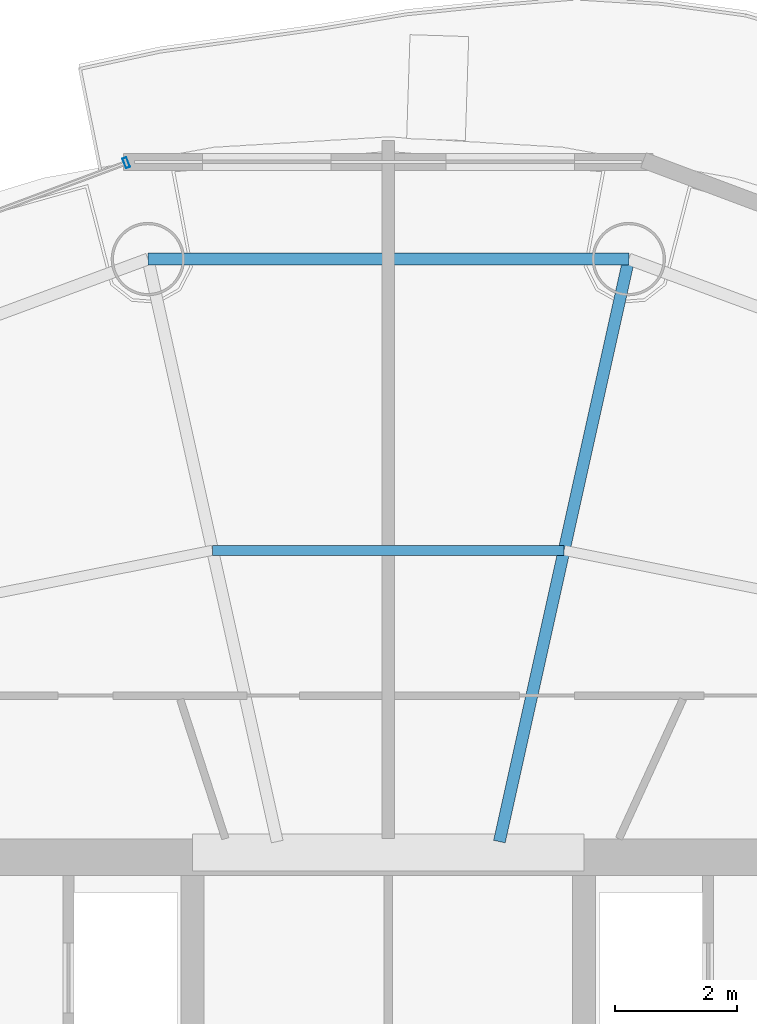
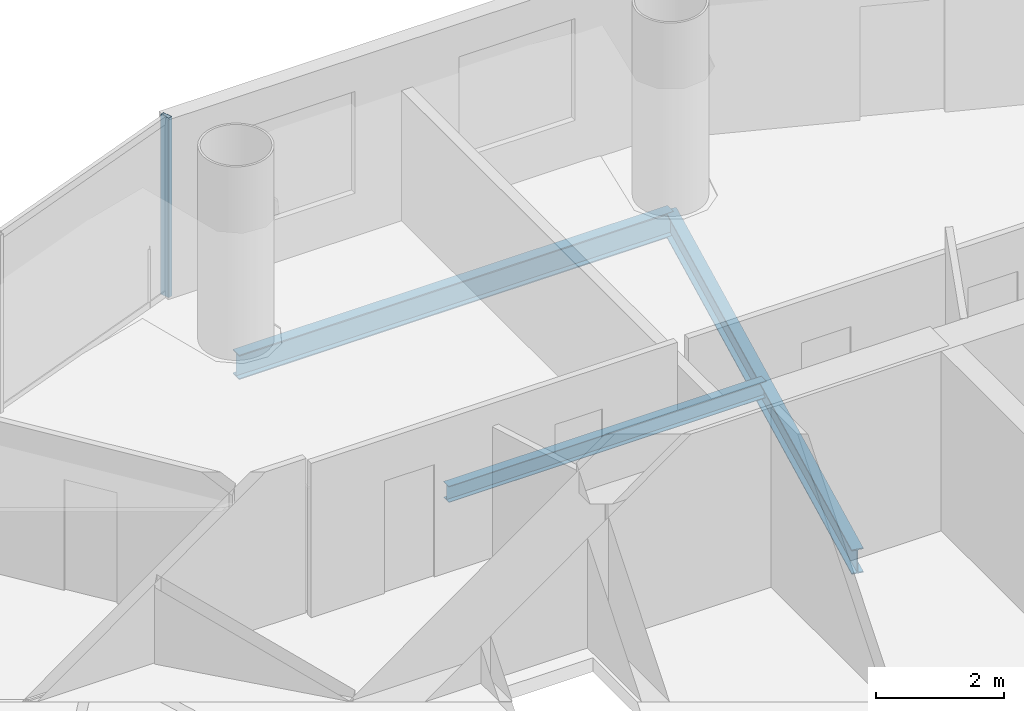
# One storey, part 16 of 26: 3 beams, 1 member, 1 element without a shape of its own.
"""IFC4 building model written with IfcOpenShell, lengths in metres."""

from ifc_helpers import new_model, si_unit, direction, frame, origin, origin_2d, place, context, subcontext, project, spatial, hollow_rectangle, i_section, extrude, source, transform, mapped, material, material_profile, profile_set, type_object, element, aggregate, save


model = new_model("IFC4")

# Units and contexts
model_context = context("Model", 3, precision=1e-05, world=origin(), true_north=direction((-0.2419218956, 0.970295726276)))
body_context = subcontext(model_context, "Body", "Model", "MODEL_VIEW")
ifc_project = project(units=[si_unit("LENGTHUNIT", "METRE"), si_unit("AREAUNIT", "SQUARE_METRE"), si_unit("VOLUMEUNIT", "CUBIC_METRE"), si_unit("PLANEANGLEUNIT", "RADIAN"), si_unit("MASSUNIT", "GRAM", prefix="KILO")], contexts=[model_context])

# Site, building, storey
site_placement = place(None, origin())
site = spatial("IfcSite", under=ifc_project, at=site_placement, CompositionType="ELEMENT")
building_placement = place(site_placement, origin())
building = spatial("IfcBuilding", under=site, at=building_placement, Name="Cobrevalo Terracotta Tower", CompositionType="ELEMENT")
storey_placement = place(building_placement, frame((0.0, 0.0, 206.0)))
storey = spatial("IfcBuildingStorey", under=building, at=storey_placement, Name="L54", CompositionType="ELEMENT", Elevation=206.0)

# Beams
ifc_material_1 = material(Name="Steel S355", Category="steel")
ifc_material_profile_1 = material_profile(ifc_material_1, i_section(OverallWidth=0.194091796875, OverallDepth=0.468994140625, WebThickness=0.011474609375, FlangeThickness=0.0205078125, at=origin_2d()), Name="W 460x106")
ifc_profile_set_1 = profile_set([ifc_material_profile_1], Name="Steel S355")
beam_type_1 = type_object("IfcBeamType", Name="Structural Beam W 460x106 (Steel S355)", PredefinedType="BEAM", material=ifc_profile_set_1)
beam_1_placement = place(storey_placement, frame((41.93115234375, 44.503173828125, -0.49951171875), z_axis=(-0.216782061165, -0.976220025382, 0.0), x_axis=(0.976220025382, -0.216782061165, 0.0)))
element("IfcBeam", 1, at=beam_1_placement, inside=storey, type_object=beam_type_1, Name="L54 radial floor girder 04", PredefinedType="BEAM", context=body_context, shape_type="SweptSolid", body=[
    extrude(i_section(OverallWidth=0.194091796875, OverallDepth=0.468994140625, WebThickness=0.011474609375, FlangeThickness=0.0205078125, at=origin_2d()), origin(), (0.0, 0.0, 1.0), 9.755126953125),
])
ifc_material_profile_2 = material_profile(ifc_material_1, i_section(OverallWidth=0.1650390625, OverallDepth=0.31005859375, WebThickness=0.005859375, FlangeThickness=0.009765625, at=origin_2d()), Name="W 310x38.7")
ifc_profile_set_2 = profile_set([ifc_material_profile_2], Name="Steel S355")
beam_type_2 = type_object("IfcBeamType", Name="Structural Joist W 310x38.7 (Steel S355)", PredefinedType="JOIST", material=ifc_profile_set_2)
beam_2_placement = place(storey_placement, frame((40.873779296875, 39.74169921875, -0.419921875), z_axis=(-1.0, 0.0, 0.0), x_axis=(0.0, -1.0, 0.0)))
element("IfcBeam", 2, at=beam_2_placement, inside=storey, type_object=beam_type_2, Name="L54 circumferential secondary floor joist 04", PredefinedType="JOIST", context=body_context, shape_type="SweptSolid", body=[
    extrude(i_section(OverallWidth=0.1650390625, OverallDepth=0.31005859375, WebThickness=0.005859375, FlangeThickness=0.009765625, at=origin_2d()), origin(), (0.0, 0.0, 1.0), 5.74755859375),
])
ifc_material_profile_3 = material_profile(ifc_material_1, i_section(OverallWidth=0.194091796875, OverallDepth=0.468994140625, WebThickness=0.011474609375, FlangeThickness=0.0205078125, at=origin_2d()), Name="W 460x106")
ifc_profile_set_3 = profile_set([ifc_material_profile_3], Name="Steel S355")
beam_type_3 = type_object("IfcBeamType", Name="Structural Spandrel W 460x106 (Steel S355)", PredefinedType="SPANDREL", material=ifc_profile_set_3)
beam_3_placement = place(storey_placement, frame((41.93115234375, 44.503173828125, -0.49951171875), z_axis=(-1.0, 0.0, 0.0), x_axis=(0.0, -1.0, 0.0)))
element("IfcBeam", 3, at=beam_3_placement, inside=storey, type_object=beam_type_3, Name="L54 perimeter ring spandrel 04", PredefinedType="SPANDREL", context=body_context, shape_type="SweptSolid", body=[
    extrude(i_section(OverallWidth=0.194091796875, OverallDepth=0.468994140625, WebThickness=0.011474609375, FlangeThickness=0.0205078125, at=origin_2d()), origin(), (0.0, 0.0, 1.0), 7.8623046875),
])

# Curtain wall, member
ifc_material_2 = material(Name="Anodized aluminium", Category="aluminium")
curtain_wall_type = type_object("IfcCurtainWallType", Name="Mid-tower high-wind unitised curtain wall CW-U2", PredefinedType="NOTDEFINED", material=ifc_material_2)
curtain_wall_placement = place(storey_placement, origin())
curtain_wall = element("IfcCurtainWall", 4, at=curtain_wall_placement, inside=storey, type_object=curtain_wall_type, Name="L54 curtain wall CW-L54-S05", PredefinedType="NOTDEFINED")
ifc_material_profile_4 = material_profile(ifc_material_2, hollow_rectangle(XDim=0.070068359375, YDim=0.169921875, WallThickness=0.00439453125, at=origin_2d()), Name="CWM 70x170")
ifc_profile_set_4 = profile_set([ifc_material_profile_4], Name="Anodized aluminium")
member_type = type_object("IfcMemberType", Name="Upper tower unitised mullion 70x170", PredefinedType="MULLION", material=ifc_profile_set_4)
shared_shape = source(origin(), body_context, "Body", "SweptSolid", [
    extrude(hollow_rectangle(XDim=0.070068359375, YDim=0.169921875, WallThickness=0.00439453125, at=origin_2d()), origin(), (0.0, 0.0, 1.0), 3.43505859375),
])
member_placement = place(storey_placement, frame((33.71533203125, 46.078125, 0.0), z_axis=(0.0, 0.0, 1.0), x_axis=(-0.936556004584, -0.350517974259, 0.0)))
member = element("IfcMember", 5, at=member_placement, type_object=member_type, Name="CW-L54-S05 vertical mullion 01", PredefinedType="MULLION", context=body_context, shape_type="MappedRepresentation", body=[
    mapped(shared_shape, transform((0.0, 0.0, 0.0), scale=1.0)),
])
aggregate(curtain_wall, [member])

save(model, "model.ifc")
